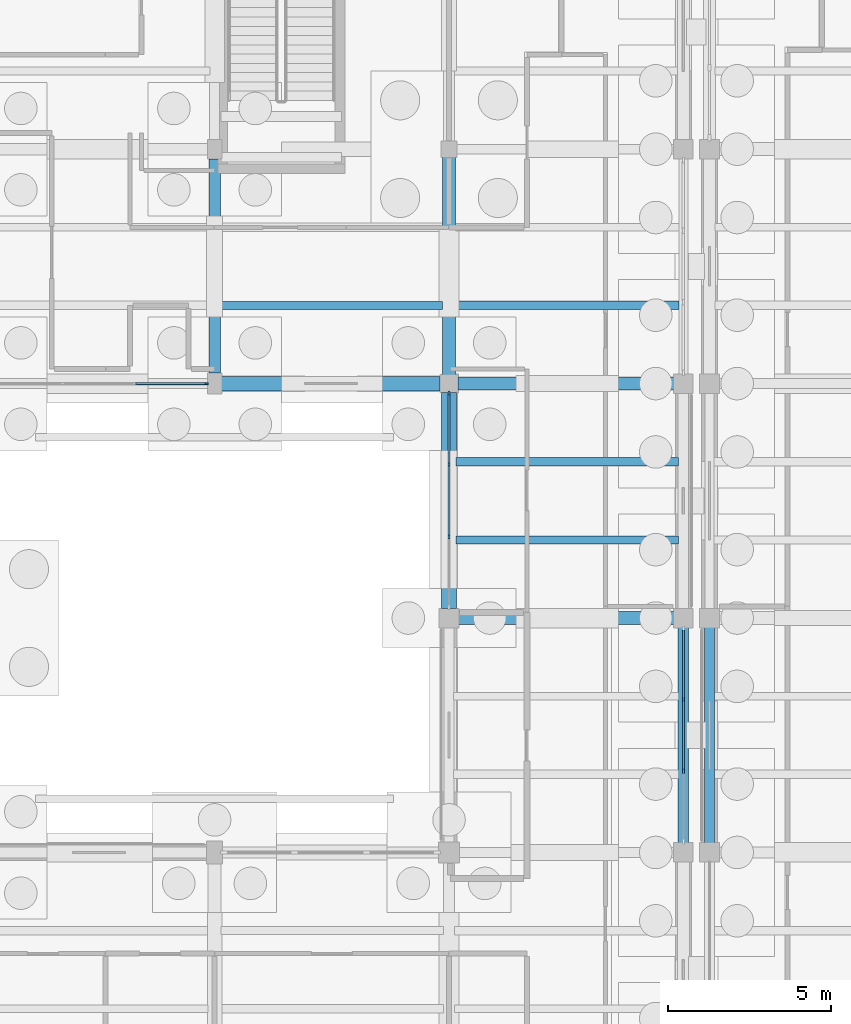
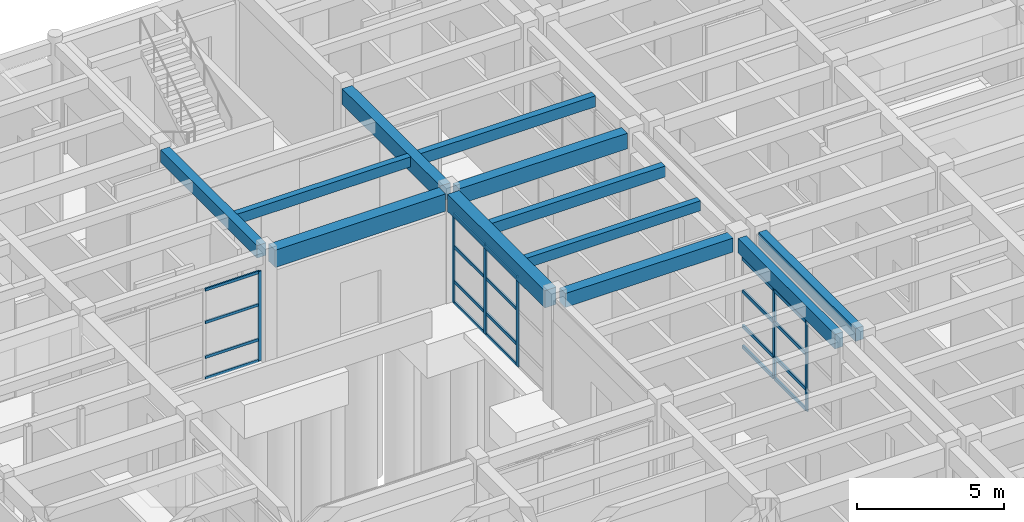
# One storey, part 68 of 143: 26 members, 12 beams, 3 elements without a shape of their own.
"""IFC4 building model written with IfcOpenShell, lengths in metres."""

import ifcopenshell
import ifcopenshell.guid

model = None  # the IFC model being written
_history = None  # IfcOwnerHistory: only IFC2X3 demands one
_inside = {}  # id of a spatial element -> (the spatial element, [elements in it])
_under = {}  # id of a project, library or spatial element -> (it, [spatial elements below it])
_declared = {}  # id of a project -> (the project, [libraries it declares])
_typed = {}  # id of a type object -> (the type object, [elements of that type])
_made_of = {}  # id of a material, layer set ... -> (it, [elements and type objects made of it])


def new_model(schema):
    """Start an empty IFC model of exactly this schema.

    Asked for "IFC4X3", IfcOpenShell would pick the latest addendum, in which some entities
    have other attributes; the version numbers below select the first issue.
    IFC2X3 requires an IfcOwnerHistory on every rooted entity: one is made here for all.
    """
    global model, _history
    if schema == "IFC4X3":
        model = ifcopenshell.file(schema_version=(4, 3, 0, 0))
    else:
        model = ifcopenshell.file(schema=schema)
    _inside.clear()
    _under.clear()
    _declared.clear()
    _typed.clear()
    _made_of.clear()
    _history = None
    if model.schema == "IFC2X3":
        org = make("IfcOrganization", Name="unknown")
        user = make(
            "IfcPersonAndOrganization",
            ThePerson=make("IfcPerson", FamilyName="unknown"),
            TheOrganization=org,
        )
        app = make(
            "IfcApplication",
            ApplicationDeveloper=org,
            Version="unknown",
            ApplicationFullName="unknown",
            ApplicationIdentifier="unknown",
        )
        _history = make(
            "IfcOwnerHistory",
            OwningUser=user,
            OwningApplication=app,
            ChangeAction="ADDED",
            CreationDate=0,
        )
    return model


def make(cls, **values):
    """One entity of the class cls with the attributes given. An attribute that is None is left unset."""
    return model.create_entity(
        cls, **{name: value for name, value in values.items() if value is not None}
    )


def rooted(cls, **values):
    """An entity with a GlobalId (a new one), such as an element, a storey or a relation."""
    return make(cls, GlobalId=ifcopenshell.guid.new(), OwnerHistory=_history, **values)


def si_unit(unit_type, name, prefix=None):
    """IfcSIUnit, for example si_unit("LENGTHUNIT", "METRE", prefix="MILLI")."""
    return make("IfcSIUnit", UnitType=unit_type, Prefix=prefix, Name=name)


def assignment(units):
    """IfcUnitAssignment: the units of a project."""
    return None if units is None else make("IfcUnitAssignment", Units=units)


def point(xyz):
    """IfcCartesianPoint."""
    return None if xyz is None else make("IfcCartesianPoint", Coordinates=xyz)


def direction(xyz):
    """IfcDirection."""
    return None if xyz is None else make("IfcDirection", DirectionRatios=xyz)


def frame(location, z_axis=None, x_axis=None):
    """IfcAxis2Placement3D, a coordinate frame: its origin and axes. An axis left out is left unset."""
    return make(
        "IfcAxis2Placement3D",
        Location=point(location),
        Axis=direction(z_axis),
        RefDirection=direction(x_axis),
    )


def frame_2d(location, x_axis=None):
    """IfcAxis2Placement2D, a coordinate frame in the plane: its origin and x axis."""
    return make(
        "IfcAxis2Placement2D", Location=point(location), RefDirection=direction(x_axis)
    )


def origin():
    """The frame at (0, 0, 0) with its axes left unset."""
    return frame((0.0, 0.0, 0.0))


def origin_2d():
    """The frame at (0, 0) in the plane with its x axis left unset."""
    return frame_2d((0.0, 0.0))


def place(relative_to, where):
    """IfcLocalPlacement: puts the frame where relative to a parent placement (None: the world)."""
    return make(
        "IfcLocalPlacement", PlacementRelTo=relative_to, RelativePlacement=where
    )


def context(
    kind, dimensions, precision=None, world=None, true_north=None, identifier=None
):
    """IfcGeometricRepresentationContext, for example the 3D "Model" context."""
    return make(
        "IfcGeometricRepresentationContext",
        ContextIdentifier=identifier,
        ContextType=kind,
        CoordinateSpaceDimension=dimensions,
        Precision=precision,
        WorldCoordinateSystem=world,
        TrueNorth=true_north,
    )


def subcontext(parent, identifier, kind, view, scale=None):
    """IfcGeometricRepresentationSubContext, for example "Body" below "Model"."""
    return make(
        "IfcGeometricRepresentationSubContext",
        ContextIdentifier=identifier,
        ContextType=kind,
        ParentContext=parent,
        TargetScale=scale,
        TargetView=view,
    )


def project(units=None, contexts=None):
    """IfcProject with its units and contexts."""
    return rooted(
        "IfcProject",
        Name="project",
        RepresentationContexts=contexts,
        UnitsInContext=assignment(units),
    )


def spatial(cls, under=None, at=None, **own):
    """A site, building, storey or space (cls), placed at a placement, below another one or the project."""
    s = rooted(cls, ObjectPlacement=at, **own)
    if under is not None:
        _under.setdefault(under.id(), (under, []))[1].append(s)
    return s


def profile(cls, at=None, kind="AREA", **sizes):
    """A parametric profile (cls). Its sizes go by their IFC names, for example OverallWidth=200.0."""
    return make(cls, ProfileType=kind, Position=at, **sizes)


def rectangle(**sizes):
    """IfcRectangleProfileDef."""
    return profile("IfcRectangleProfileDef", **sizes)


def extrude(swept, where, along, depth):
    """IfcExtrudedAreaSolid: the profile swept, set in the frame where, extruded along a direction by depth."""
    return make(
        "IfcExtrudedAreaSolid",
        SweptArea=swept,
        Position=where,
        ExtrudedDirection=direction(along),
        Depth=depth,
    )


def shape(context_of_items, identifier, shape_type, items):
    """IfcShapeRepresentation: the items that make up one representation, for example the "Body"."""
    return make(
        "IfcShapeRepresentation",
        ContextOfItems=context_of_items,
        RepresentationIdentifier=identifier,
        RepresentationType=shape_type,
        Items=items,
    )


def material(Name=None, Category=None):
    """IfcMaterial."""
    return make("IfcMaterial", Name=Name, Category=Category)


def material_profile(
    of_material, cross_section, Name=None, Category=None, Priority=None
):
    """IfcMaterialProfile: a cross section and its material."""
    return make(
        "IfcMaterialProfile",
        Name=Name,
        Material=of_material,
        Profile=cross_section,
        Priority=Priority,
        Category=Category,
    )


def profile_set(profiles, Name=None, composite=None):
    """IfcMaterialProfileSet."""
    return make(
        "IfcMaterialProfileSet",
        Name=Name,
        MaterialProfiles=profiles,
        CompositeProfile=composite,
    )


def made_of(thing, what):
    """Note that an element or type object is made of a material, layer set ...; save() writes the relation."""
    if what is not None:
        _made_of.setdefault(what.id(), (what, []))[1].append(thing)
    return thing


def type_object(cls, material=None, **own):
    """A type object (cls), such as IfcWallType, which elements share."""
    return made_of(rooted(cls, **own), material)


def element(
    cls,
    number,
    at=None,
    inside=None,
    cuts=None,
    type_object=None,
    material=None,
    context=None,
    identifier="Body",
    shape_type=None,
    held_by="IfcProductDefinitionShape",
    body=None,
    shapes=None,
    **own,
):
    """One element of the class cls, such as IfcWall. Its Tag is "e" and its number.

    at: its placement. inside: the storey or other place that contains it. cuts: it is an
    opening in that element (IfcRelVoidsElement). A single representation is given by context,
    identifier, shape_type and body (its items); several are given by shapes. held_by: the class
    of the entity that holds the representations. save() writes the other relations.
    """
    e = rooted(cls, Tag="e%d" % number, ObjectPlacement=at, **own)
    if body is not None:
        shapes = [shape(context, identifier, shape_type, body)]
    if shapes is not None:
        e.Representation = make(held_by, Representations=shapes)
    if inside is not None:
        _inside.setdefault(inside.id(), (inside, []))[1].append(e)
    if cuts is not None:
        rooted(
            "IfcRelVoidsElement", RelatingBuildingElement=cuts, RelatedOpeningElement=e
        )
    if type_object is not None:
        _typed.setdefault(type_object.id(), (type_object, []))[1].append(e)
    return made_of(e, material)


def aggregate(whole, parts):
    """IfcRelAggregates: a whole, such as a stair, and the parts it consists of."""
    return rooted("IfcRelAggregates", RelatingObject=whole, RelatedObjects=parts)


def save(model, path):
    """Write the relations noted so far, then the file.

    IfcRelAggregates (storeys below a building ...), IfcRelContainedInSpatialStructure (elements
    in a storey), IfcRelDefinesByType, IfcRelAssociatesMaterial and IfcRelDeclares: one each for
    every whole, place, type object, material and project.
    """
    for whole, parts in _under.values():
        aggregate(whole, parts)
    for where, things in _inside.values():
        rooted(
            "IfcRelContainedInSpatialStructure",
            RelatedElements=things,
            RelatingStructure=where,
        )
    for kind, things in _typed.values():
        rooted("IfcRelDefinesByType", RelatedObjects=things, RelatingType=kind)
    for what, things in _made_of.values():
        rooted("IfcRelAssociatesMaterial", RelatedObjects=things, RelatingMaterial=what)
    for by, libraries in _declared.values():
        rooted("IfcRelDeclares", RelatingContext=by, RelatedDefinitions=libraries)
    model.write(path)


model = new_model("IFC4")

# Units and contexts
model_context = context("Model", 3, precision=1e-05, world=origin(), true_north=direction((0.0, 1.0)))
body_context = subcontext(model_context, "Body", "Model", "MODEL_VIEW")
ifc_project = project(units=[si_unit("LENGTHUNIT", "METRE"), si_unit("AREAUNIT", "SQUARE_METRE"), si_unit("VOLUMEUNIT", "CUBIC_METRE"), si_unit("PLANEANGLEUNIT", "RADIAN"), si_unit("MASSUNIT", "GRAM", prefix="KILO")], contexts=[model_context])

# Site, building, storey
site_placement = place(None, origin())
site = spatial("IfcSite", under=ifc_project, at=site_placement, CompositionType="ELEMENT")
building_placement = place(site_placement, origin())
building = spatial("IfcBuilding", under=site, at=building_placement, Name="Steenspoor Specialist Clinic", CompositionType="ELEMENT")
storey_placement = place(building_placement, origin())
storey = spatial("IfcBuildingStorey", under=building, at=storey_placement, Name="L00", CompositionType="ELEMENT", Elevation=0.0)

# Beams
ifc_material_1 = material(Name="Concrete C35/45", Category="concrete")
ifc_material_profile_1 = material_profile(ifc_material_1, rectangle(XDim=0.35009765625, YDim=0.52001953125, at=origin_2d()), Name="RC-BM-350X520")
ifc_profile_set_1 = profile_set([ifc_material_profile_1], Name="Concrete C35/45")
beam_type_1 = type_object("IfcBeamType", Name="BM-RC-350X520", PredefinedType="BEAM", material=ifc_profile_set_1)
beam_1_placement = place(storey_placement, frame((102.800048828125, 94.27001953125, 4.2900390625), z_axis=(0.0, 1.0, 0.0), x_axis=(-1.0, 0.0, 0.0)))
element("IfcBeam", 1, at=beam_1_placement, inside=storey, type_object=beam_type_1, Name="BM-V4-L00-Y0383", PredefinedType="BEAM", context=body_context, shape_type="SweptSolid", body=[
    extrude(rectangle(XDim=0.35009765625, YDim=0.52001953125, at=origin_2d()), origin(), (0.0, 0.0, 1.0), 6.5849609375),
])
ifc_material_profile_2 = material_profile(ifc_material_1, rectangle(XDim=0.39990234375, YDim=0.580078125, at=origin_2d()), Name="RC-BM-400X580")
ifc_profile_set_2 = profile_set([ifc_material_profile_2], Name="Concrete C35/45")
beam_type_2 = type_object("IfcBeamType", Name="BM-RC-400X580", PredefinedType="BEAM", material=ifc_profile_set_2)
beam_2_placement = place(storey_placement, frame((110.294921875, 86.75, 4.260009765625), z_axis=(1.0, 0.0, 0.0), x_axis=(0.0, 1.0, 0.0)))
element("IfcBeam", 2, at=beam_2_placement, inside=storey, type_object=beam_type_2, Name="BM-V4-L00-X0316", PredefinedType="BEAM", context=body_context, shape_type="SweptSolid", body=[
    extrude(rectangle(XDim=0.39990234375, YDim=0.580078125, at=origin_2d()), origin(), (0.0, 0.0, 1.0), 6.610107421875),
])
ifc_material_profile_3 = material_profile(ifc_material_1, rectangle(XDim=0.39990234375, YDim=0.64990234375, at=origin_2d()), Name="RC-BM-400X650")
ifc_profile_set_3 = profile_set([ifc_material_profile_3], Name="Concrete C35/45")
beam_type_3 = type_object("IfcBeamType", Name="BM-RC-400X650", PredefinedType="BEAM", material=ifc_profile_set_3)
beam_3_placement = place(storey_placement, frame((110.27001953125, 93.949951171875, 4.22509765625), z_axis=(1.0, 0.0, 0.0), x_axis=(0.0, 1.0, 0.0)))
element("IfcBeam", 3, at=beam_3_placement, inside=storey, type_object=beam_type_3, Name="BM-V4-L00-X0325", PredefinedType="BEAM", context=body_context, shape_type="SweptSolid", body=[
    extrude(rectangle(XDim=0.39990234375, YDim=0.64990234375, at=origin_2d()), origin(), (0.0, 0.0, 1.0), 6.635009765625),
])
beam_4_placement = place(storey_placement, frame((110.0, 94.219970703125, 4.22509765625), z_axis=(0.0, 1.0, 0.0), x_axis=(-1.0, 0.0, 0.0)))
element("IfcBeam", 4, at=beam_4_placement, inside=storey, type_object=beam_type_3, Name="BM-V4-L00-Y0389", PredefinedType="BEAM", context=body_context, shape_type="SweptSolid", body=[
    extrude(rectangle(XDim=0.39990234375, YDim=0.64990234375, at=origin_2d()), origin(), (0.0, 0.0, 1.0), 6.68505859375),
])
ifc_material_profile_4 = material_profile(ifc_material_1, rectangle(XDim=0.449951171875, YDim=0.719970703125, at=origin_2d()), Name="RC-BM-450X720")
ifc_profile_set_4 = profile_set([ifc_material_profile_4], Name="Concrete C35/45")
beam_type_4 = type_object("IfcBeamType", Name="BM-RC-450X720", PredefinedType="BEAM", material=ifc_profile_set_4)
beam_5_placement = place(storey_placement, frame((103.02001953125, 93.949951171875, 4.18994140625), z_axis=(1.0, 0.0, 0.0), x_axis=(0.0, 1.0, 0.0)))
element("IfcBeam", 5, at=beam_5_placement, inside=storey, type_object=beam_type_4, Name="BM-V4-L00-X0324", PredefinedType="BEAM", context=body_context, shape_type="SweptSolid", body=[
    extrude(rectangle(XDim=0.449951171875, YDim=0.719970703125, at=origin_2d()), origin(), (0.0, 0.0, 1.0), 6.7099609375),
])
beam_6_placement = place(storey_placement, frame((110.0, 87.044921875, 4.18994140625), z_axis=(0.0, 1.0, 0.0), x_axis=(-1.0, 0.0, 0.0)))
element("IfcBeam", 6, at=beam_6_placement, inside=storey, type_object=beam_type_4, Name="BM-V4-L00-Y0388", PredefinedType="BEAM", context=body_context, shape_type="SweptSolid", body=[
    extrude(rectangle(XDim=0.449951171875, YDim=0.719970703125, at=origin_2d()), origin(), (0.0, 0.0, 1.0), 6.635009765625),
])

# Curtain wall, member
ifc_material_2 = material(Name="Thermally broken aluminium and low-emissivity glass", Category="aluminium")
curtain_wall_type_1 = type_object("IfcCurtainWallType", Name="CW-TYP-650X355", PredefinedType="USERDEFINED", material=ifc_material_2)
curtain_wall_1_placement = place(storey_placement, origin())
curtain_wall_1 = element("IfcCurtainWall", 7, at=curtain_wall_1_placement, inside=storey, type_object=curtain_wall_type_1, Name="Unitised Curtain Wall CW-V4-L00-058", ObjectType="UNITISED GLAZING", PredefinedType="USERDEFINED")
ifc_material_3 = material(Name="Thermally broken aluminium 6063-T6", Category="aluminium")
ifc_material_profile_5 = material_profile(ifc_material_3, rectangle(XDim=0.06005859375, YDim=0.135009765625, at=origin_2d()), Name="CWM-60X135")
ifc_profile_set_5 = profile_set([ifc_material_profile_5], Name="Thermally broken aluminium 6063-T6")
member_type_1 = type_object("IfcMemberType", Name="CW-MULL-60X135", PredefinedType="MULLION", material=ifc_profile_set_5)
member_1_placement = place(storey_placement, frame((102.544921875, 93.949951171875, 0.0), z_axis=(0.0, 0.0, 1.0), x_axis=(0.0, -1.0, 0.0)))
member_1 = element("IfcMember", 8, at=member_1_placement, type_object=member_type_1, Name="CW-10 mullion 1", PredefinedType="MULLION", context=body_context, shape_type="SweptSolid", body=[
    extrude(rectangle(XDim=0.06005859375, YDim=0.135009765625, at=origin_2d()), origin(), (0.0, 0.0, 1.0), 3.72998046875),
])

# Curtain wall, members
curtain_wall_type_2 = type_object("IfcCurtainWallType", Name="CW-HALL-480X820", PredefinedType="USERDEFINED", material=ifc_material_2)
curtain_wall_2_placement = place(storey_placement, origin())
curtain_wall_2 = element("IfcCurtainWall", 9, at=curtain_wall_2_placement, inside=storey, type_object=curtain_wall_type_2, Name="Unitised Curtain Wall CW-V4-L00-051", ObjectType="UNITISED GLAZING", PredefinedType="USERDEFINED")
ifc_material_profile_6 = material_profile(ifc_material_3, rectangle(XDim=0.06494140625, YDim=0.14990234375, at=origin_2d()), Name="CWM-65X150")
ifc_profile_set_6 = profile_set([ifc_material_profile_6], Name="Thermally broken aluminium 6063-T6")
member_type_2 = type_object("IfcMemberType", Name="CW-MULL-65X150", PredefinedType="MULLION", material=ifc_profile_set_6)
member_2_placement = place(storey_placement, frame((117.199951171875, 84.25, 0.0), z_axis=(0.0, 0.0, 1.0), x_axis=(1.0, 0.0, 0.0)))
member_2 = element("IfcMember", 10, at=member_2_placement, type_object=member_type_2, Name="CW-03 mullion 2", PredefinedType="MULLION", context=body_context, shape_type="SweptSolid", body=[
    extrude(rectangle(XDim=0.06494140625, YDim=0.14990234375, at=origin_2d()), origin(), (0.0, 0.0, 1.0), 3.72998046875),
])
member_3_placement = place(storey_placement, frame((117.199951171875, 82.050048828125, 0.0), z_axis=(0.0, 0.0, 1.0), x_axis=(1.0, 0.0, 0.0)))
member_3 = element("IfcMember", 11, at=member_3_placement, type_object=member_type_2, Name="CW-03 mullion 3", PredefinedType="MULLION", context=body_context, shape_type="SweptSolid", body=[
    extrude(rectangle(XDim=0.06494140625, YDim=0.14990234375, at=origin_2d()), origin(), (0.0, 0.0, 1.0), 3.72998046875),
])

curtain_wall_type_3 = type_object("IfcCurtainWallType", Name="CW-TYP-660X355", PredefinedType="USERDEFINED", material=ifc_material_2)
curtain_wall_3_placement = place(storey_placement, origin())
curtain_wall_3 = element("IfcCurtainWall", 12, at=curtain_wall_3_placement, inside=storey, type_object=curtain_wall_type_3, Name="Unitised Curtain Wall CW-V4-L00-057", ObjectType="UNITISED GLAZING", PredefinedType="USERDEFINED")
member_4_placement = place(storey_placement, frame((110.0, 89.25830078125, 0.0), z_axis=(0.0, 0.0, 1.0), x_axis=(-1.0, 0.0, 0.0)))
member_4 = element("IfcMember", 13, at=member_4_placement, type_object=member_type_2, Name="CW-09 mullion 2", PredefinedType="MULLION", context=body_context, shape_type="SweptSolid", body=[
    extrude(rectangle(XDim=0.06494140625, YDim=0.14990234375, at=origin_2d()), origin(), (0.0, 0.0, 1.0), 3.72998046875),
])
member_5_placement = place(storey_placement, frame((110.0, 91.466552734375, 0.0), z_axis=(0.0, 0.0, 1.0), x_axis=(-1.0, 0.0, 0.0)))
member_5 = element("IfcMember", 14, at=member_5_placement, type_object=member_type_2, Name="CW-09 mullion 3", PredefinedType="MULLION", context=body_context, shape_type="SweptSolid", body=[
    extrude(rectangle(XDim=0.06494140625, YDim=0.14990234375, at=origin_2d()), origin(), (0.0, 0.0, 1.0), 3.72998046875),
])
member_6_placement = place(storey_placement, frame((110.0, 93.642578125, 0.0), z_axis=(0.0, 0.0, 1.0), x_axis=(-1.0, 0.0, 0.0)))
member_6 = element("IfcMember", 15, at=member_6_placement, type_object=member_type_2, Name="CW-09 mullion 4", PredefinedType="MULLION", context=body_context, shape_type="SweptSolid", body=[
    extrude(rectangle(XDim=0.06494140625, YDim=0.14990234375, at=origin_2d()), origin(), (0.0, 0.0, 1.0), 3.72998046875),
])

# Member
ifc_material_profile_7 = material_profile(ifc_material_3, rectangle(XDim=0.06005859375, YDim=0.114990234375, at=origin_2d()), Name="CWT-60X115")
ifc_profile_set_7 = profile_set([ifc_material_profile_7], Name="Thermally broken aluminium 6063-T6")
member_type_3 = type_object("IfcMemberType", Name="CW-TRAN-60X115", PredefinedType="USERDEFINED", material=ifc_profile_set_7)
member_7_placement = place(storey_placement, frame((102.514892578125, 93.949951171875, 0.030029296875), z_axis=(-1.0, 0.0, 0.0), x_axis=(0.0, -1.0, 0.0)))
member_7 = element("IfcMember", 16, at=member_7_placement, type_object=member_type_3, Name="CW-10 transom 1.1", ObjectType="TRANSOM", PredefinedType="USERDEFINED", context=body_context, shape_type="SweptSolid", body=[
    extrude(rectangle(XDim=0.06005859375, YDim=0.114990234375, at=origin_2d()), origin(), (0.0, 0.0, 1.0), 2.135009765625),
])

member_8_placement = place(storey_placement, frame((102.514892578125, 93.949951171875, 0.89990234375), z_axis=(-1.0, 0.0, 0.0), x_axis=(0.0, -1.0, 0.0)))
member_8 = element("IfcMember", 17, at=member_8_placement, type_object=member_type_3, Name="CW-10 transom 1.2", ObjectType="TRANSOM", PredefinedType="USERDEFINED", context=body_context, shape_type="SweptSolid", body=[
    extrude(rectangle(XDim=0.06005859375, YDim=0.114990234375, at=origin_2d()), origin(), (0.0, 0.0, 1.0), 2.135009765625),
])

member_9_placement = place(storey_placement, frame((102.514892578125, 93.949951171875, 2.35009765625), z_axis=(-1.0, 0.0, 0.0), x_axis=(0.0, -1.0, 0.0)))
member_9 = element("IfcMember", 18, at=member_9_placement, type_object=member_type_3, Name="CW-10 transom 1.3", ObjectType="TRANSOM", PredefinedType="USERDEFINED", context=body_context, shape_type="SweptSolid", body=[
    extrude(rectangle(XDim=0.06005859375, YDim=0.114990234375, at=origin_2d()), origin(), (0.0, 0.0, 1.0), 2.135009765625),
])

member_10_placement = place(storey_placement, frame((102.514892578125, 93.949951171875, 3.699951171875), z_axis=(-1.0, 0.0, 0.0), x_axis=(0.0, -1.0, 0.0)))
member_10 = element("IfcMember", 19, at=member_10_placement, type_object=member_type_3, Name="CW-10 transom 1.4", ObjectType="TRANSOM", PredefinedType="USERDEFINED", context=body_context, shape_type="SweptSolid", body=[
    extrude(rectangle(XDim=0.06005859375, YDim=0.114990234375, at=origin_2d()), origin(), (0.0, 0.0, 1.0), 2.135009765625),
])

aggregate(curtain_wall_1, [member_1, member_7, member_8, member_9, member_10])

ifc_material_profile_8 = material_profile(ifc_material_3, rectangle(XDim=0.06494140625, YDim=0.1298828125, at=origin_2d()), Name="CWT-65X130")
ifc_profile_set_8 = profile_set([ifc_material_profile_8], Name="Thermally broken aluminium 6063-T6")
member_type_4 = type_object("IfcMemberType", Name="CW-TRAN-65X130", PredefinedType="USERDEFINED", material=ifc_profile_set_8)
member_11_placement = place(storey_placement, frame((110.0, 89.290771484375, 0.032470703125), z_axis=(0.0, 1.0, 0.0), x_axis=(-1.0, 0.0, 0.0)))
member_11 = element("IfcMember", 20, at=member_11_placement, type_object=member_type_4, Name="CW-09 transom 2.1", ObjectType="TRANSOM", PredefinedType="USERDEFINED", context=body_context, shape_type="SweptSolid", body=[
    extrude(rectangle(XDim=0.06494140625, YDim=0.1298828125, at=origin_2d()), origin(), (0.0, 0.0, 1.0), 2.143310546875),
])

member_12_placement = place(storey_placement, frame((110.0, 89.290771484375, 0.89990234375), z_axis=(0.0, 1.0, 0.0), x_axis=(-1.0, 0.0, 0.0)))
member_12 = element("IfcMember", 21, at=member_12_placement, type_object=member_type_4, Name="CW-09 transom 2.2", ObjectType="TRANSOM", PredefinedType="USERDEFINED", context=body_context, shape_type="SweptSolid", body=[
    extrude(rectangle(XDim=0.06494140625, YDim=0.1298828125, at=origin_2d()), origin(), (0.0, 0.0, 1.0), 2.143310546875),
])

member_13_placement = place(storey_placement, frame((110.0, 89.290771484375, 2.35009765625), z_axis=(0.0, 1.0, 0.0), x_axis=(-1.0, 0.0, 0.0)))
member_13 = element("IfcMember", 22, at=member_13_placement, type_object=member_type_4, Name="CW-09 transom 2.3", ObjectType="TRANSOM", PredefinedType="USERDEFINED", context=body_context, shape_type="SweptSolid", body=[
    extrude(rectangle(XDim=0.06494140625, YDim=0.1298828125, at=origin_2d()), origin(), (0.0, 0.0, 1.0), 2.143310546875),
])

member_14_placement = place(storey_placement, frame((110.0, 89.290771484375, 3.697509765625), z_axis=(0.0, 1.0, 0.0), x_axis=(-1.0, 0.0, 0.0)))
member_14 = element("IfcMember", 23, at=member_14_placement, type_object=member_type_4, Name="CW-09 transom 2.4", ObjectType="TRANSOM", PredefinedType="USERDEFINED", context=body_context, shape_type="SweptSolid", body=[
    extrude(rectangle(XDim=0.06494140625, YDim=0.1298828125, at=origin_2d()), origin(), (0.0, 0.0, 1.0), 2.143310546875),
])

member_15_placement = place(storey_placement, frame((110.0, 91.499267578125, 0.032470703125), z_axis=(0.0, 1.0, 0.0), x_axis=(-1.0, 0.0, 0.0)))
member_15 = element("IfcMember", 24, at=member_15_placement, type_object=member_type_4, Name="CW-09 transom 3.1", ObjectType="TRANSOM", PredefinedType="USERDEFINED", context=body_context, shape_type="SweptSolid", body=[
    extrude(rectangle(XDim=0.06494140625, YDim=0.1298828125, at=origin_2d()), origin(), (0.0, 0.0, 1.0), 2.11083984375),
])

member_16_placement = place(storey_placement, frame((110.0, 91.499267578125, 0.89990234375), z_axis=(0.0, 1.0, 0.0), x_axis=(-1.0, 0.0, 0.0)))
member_16 = element("IfcMember", 25, at=member_16_placement, type_object=member_type_4, Name="CW-09 transom 3.2", ObjectType="TRANSOM", PredefinedType="USERDEFINED", context=body_context, shape_type="SweptSolid", body=[
    extrude(rectangle(XDim=0.06494140625, YDim=0.1298828125, at=origin_2d()), origin(), (0.0, 0.0, 1.0), 2.11083984375),
])

member_17_placement = place(storey_placement, frame((110.0, 91.499267578125, 2.35009765625), z_axis=(0.0, 1.0, 0.0), x_axis=(-1.0, 0.0, 0.0)))
member_17 = element("IfcMember", 26, at=member_17_placement, type_object=member_type_4, Name="CW-09 transom 3.3", ObjectType="TRANSOM", PredefinedType="USERDEFINED", context=body_context, shape_type="SweptSolid", body=[
    extrude(rectangle(XDim=0.06494140625, YDim=0.1298828125, at=origin_2d()), origin(), (0.0, 0.0, 1.0), 2.11083984375),
])

member_18_placement = place(storey_placement, frame((110.0, 91.499267578125, 3.697509765625), z_axis=(0.0, 1.0, 0.0), x_axis=(-1.0, 0.0, 0.0)))
member_18 = element("IfcMember", 27, at=member_18_placement, type_object=member_type_4, Name="CW-09 transom 3.4", ObjectType="TRANSOM", PredefinedType="USERDEFINED", context=body_context, shape_type="SweptSolid", body=[
    extrude(rectangle(XDim=0.06494140625, YDim=0.1298828125, at=origin_2d()), origin(), (0.0, 0.0, 1.0), 2.11083984375),
])

aggregate(curtain_wall_3, [member_4, member_5, member_6, member_11, member_12, member_13, member_14, member_15, member_16, member_17, member_18])

ifc_material_profile_9 = material_profile(ifc_material_3, rectangle(XDim=0.070068359375, YDim=0.14501953125, at=origin_2d()), Name="CWT-70X145")
ifc_profile_set_9 = profile_set([ifc_material_profile_9], Name="Thermally broken aluminium 6063-T6")
member_type_5 = type_object("IfcMemberType", Name="CW-TRAN-70X145", PredefinedType="USERDEFINED", material=ifc_profile_set_9)
member_19_placement = place(storey_placement, frame((117.199951171875, 86.385009765625, 0.034912109375), z_axis=(0.0, -1.0, 0.0), x_axis=(1.0, 0.0, 0.0)))
member_19 = element("IfcMember", 28, at=member_19_placement, type_object=member_type_5, Name="CW-03 transom 1.1", ObjectType="TRANSOM", PredefinedType="USERDEFINED", context=body_context, shape_type="SweptSolid", body=[
    extrude(rectangle(XDim=0.070068359375, YDim=0.14501953125, at=origin_2d()), origin(), (0.0, 0.0, 1.0), 2.1025390625),
])

member_20_placement = place(storey_placement, frame((117.199951171875, 86.385009765625, 0.89990234375), z_axis=(0.0, -1.0, 0.0), x_axis=(1.0, 0.0, 0.0)))
member_20 = element("IfcMember", 29, at=member_20_placement, type_object=member_type_5, Name="CW-03 transom 1.2", ObjectType="TRANSOM", PredefinedType="USERDEFINED", context=body_context, shape_type="SweptSolid", body=[
    extrude(rectangle(XDim=0.070068359375, YDim=0.14501953125, at=origin_2d()), origin(), (0.0, 0.0, 1.0), 2.1025390625),
])

member_21_placement = place(storey_placement, frame((117.199951171875, 86.385009765625, 2.35009765625), z_axis=(0.0, -1.0, 0.0), x_axis=(1.0, 0.0, 0.0)))
member_21 = element("IfcMember", 30, at=member_21_placement, type_object=member_type_5, Name="CW-03 transom 1.3", ObjectType="TRANSOM", PredefinedType="USERDEFINED", context=body_context, shape_type="SweptSolid", body=[
    extrude(rectangle(XDim=0.070068359375, YDim=0.14501953125, at=origin_2d()), origin(), (0.0, 0.0, 1.0), 2.1025390625),
])

member_22_placement = place(storey_placement, frame((117.199951171875, 86.385009765625, 3.695068359375), z_axis=(0.0, -1.0, 0.0), x_axis=(1.0, 0.0, 0.0)))
member_22 = element("IfcMember", 31, at=member_22_placement, type_object=member_type_5, Name="CW-03 transom 1.4", ObjectType="TRANSOM", PredefinedType="USERDEFINED", context=body_context, shape_type="SweptSolid", body=[
    extrude(rectangle(XDim=0.070068359375, YDim=0.14501953125, at=origin_2d()), origin(), (0.0, 0.0, 1.0), 2.1025390625),
])

member_23_placement = place(storey_placement, frame((117.199951171875, 84.217529296875, 0.034912109375), z_axis=(0.0, -1.0, 0.0), x_axis=(1.0, 0.0, 0.0)))
member_23 = element("IfcMember", 32, at=member_23_placement, type_object=member_type_5, Name="CW-03 transom 2.1", ObjectType="TRANSOM", PredefinedType="USERDEFINED", context=body_context, shape_type="SweptSolid", body=[
    extrude(rectangle(XDim=0.070068359375, YDim=0.14501953125, at=origin_2d()), origin(), (0.0, 0.0, 1.0), 2.135009765625),
])

member_24_placement = place(storey_placement, frame((117.199951171875, 84.217529296875, 0.89990234375), z_axis=(0.0, -1.0, 0.0), x_axis=(1.0, 0.0, 0.0)))
member_24 = element("IfcMember", 33, at=member_24_placement, type_object=member_type_5, Name="CW-03 transom 2.2", ObjectType="TRANSOM", PredefinedType="USERDEFINED", context=body_context, shape_type="SweptSolid", body=[
    extrude(rectangle(XDim=0.070068359375, YDim=0.14501953125, at=origin_2d()), origin(), (0.0, 0.0, 1.0), 2.135009765625),
])

member_25_placement = place(storey_placement, frame((117.199951171875, 84.217529296875, 2.35009765625), z_axis=(0.0, -1.0, 0.0), x_axis=(1.0, 0.0, 0.0)))
member_25 = element("IfcMember", 34, at=member_25_placement, type_object=member_type_5, Name="CW-03 transom 2.3", ObjectType="TRANSOM", PredefinedType="USERDEFINED", context=body_context, shape_type="SweptSolid", body=[
    extrude(rectangle(XDim=0.070068359375, YDim=0.14501953125, at=origin_2d()), origin(), (0.0, 0.0, 1.0), 2.135009765625),
])

member_26_placement = place(storey_placement, frame((117.199951171875, 84.217529296875, 3.695068359375), z_axis=(0.0, -1.0, 0.0), x_axis=(1.0, 0.0, 0.0)))
member_26 = element("IfcMember", 35, at=member_26_placement, type_object=member_type_5, Name="CW-03 transom 2.4", ObjectType="TRANSOM", PredefinedType="USERDEFINED", context=body_context, shape_type="SweptSolid", body=[
    extrude(rectangle(XDim=0.070068359375, YDim=0.14501953125, at=origin_2d()), origin(), (0.0, 0.0, 1.0), 2.135009765625),
])

aggregate(curtain_wall_2, [member_2, member_3, member_19, member_20, member_21, member_22, member_23, member_24, member_25, member_26])

# Beams
ifc_material_profile_10 = material_profile(ifc_material_1, rectangle(XDim=0.239990234375, YDim=0.419921875, at=origin_2d()), Name="RC-JT-240X420")
ifc_profile_set_10 = profile_set([ifc_material_profile_10], Name="Concrete C35/45")
beam_type_5 = type_object("IfcBeamType", Name="JT-RC-240X420", PredefinedType="JOIST", material=ifc_profile_set_10)
beam_7_placement = place(storey_placement, frame((102.969970703125, 96.35009765625, 4.340087890625), z_axis=(1.0, 0.0, 0.0), x_axis=(0.0, 1.0, 0.0)))
element("IfcBeam", 36, at=beam_7_placement, inside=storey, type_object=beam_type_5, Name="JT-V4-L00-0461", PredefinedType="JOIST", context=body_context, shape_type="SweptSolid", body=[
    extrude(rectangle(XDim=0.239990234375, YDim=0.419921875, at=origin_2d()), origin(), (0.0, 0.0, 1.0), 6.8349609375),
])
beam_8_placement = place(storey_placement, frame((110.219970703125, 89.14990234375, 4.340087890625), z_axis=(1.0, 0.0, 0.0), x_axis=(0.0, 1.0, 0.0)))
element("IfcBeam", 37, at=beam_8_placement, inside=storey, type_object=beam_type_5, Name="JT-V4-L00-0469", PredefinedType="JOIST", context=body_context, shape_type="SweptSolid", body=[
    extrude(rectangle(XDim=0.239990234375, YDim=0.419921875, at=origin_2d()), origin(), (0.0, 0.0, 1.0), 6.824951171875),
])
ifc_material_profile_11 = material_profile(ifc_material_1, rectangle(XDim=0.260009765625, YDim=0.4599609375, at=origin_2d()), Name="RC-JT-260X460")
ifc_profile_set_11 = profile_set([ifc_material_profile_11], Name="Concrete C35/45")
beam_type_6 = type_object("IfcBeamType", Name="JT-RC-260X460", PredefinedType="JOIST", material=ifc_profile_set_11)
beam_9_placement = place(storey_placement, frame((110.219970703125, 91.550048828125, 4.320068359375), z_axis=(1.0, 0.0, 0.0), x_axis=(0.0, 1.0, 0.0)))
element("IfcBeam", 38, at=beam_9_placement, inside=storey, type_object=beam_type_6, Name="JT-V4-L00-0470", PredefinedType="JOIST", context=body_context, shape_type="SweptSolid", body=[
    extrude(rectangle(XDim=0.260009765625, YDim=0.4599609375, at=origin_2d()), origin(), (0.0, 0.0, 1.0), 6.824951171875),
])
beam_10_placement = place(storey_placement, frame((110.195068359375, 96.35009765625, 4.320068359375), z_axis=(1.0, 0.0, 0.0), x_axis=(0.0, 1.0, 0.0)))
element("IfcBeam", 39, at=beam_10_placement, inside=storey, type_object=beam_type_6, Name="JT-V4-L00-0471", PredefinedType="JOIST", context=body_context, shape_type="SweptSolid", body=[
    extrude(rectangle(XDim=0.260009765625, YDim=0.4599609375, at=origin_2d()), origin(), (0.0, 0.0, 1.0), 6.869873046875),
])
ifc_material_profile_12 = material_profile(ifc_material_1, rectangle(XDim=0.320068359375, YDim=0.5400390625, at=origin_2d()), Name="RC-SP-320X540")
ifc_profile_set_12 = profile_set([ifc_material_profile_12], Name="Concrete C35/45")
beam_type_7 = type_object("IfcBeamType", Name="SP-RC-320X540", PredefinedType="SPANDREL", material=ifc_profile_set_12)
beam_11_placement = place(storey_placement, frame((118.0, 79.844970703125, 4.25), z_axis=(0.0, 1.0, 0.0), x_axis=(-1.0, 0.0, 0.0)))
element("IfcBeam", 40, at=beam_11_placement, inside=storey, type_object=beam_type_7, Name="BM-V6-L00-Y1393", PredefinedType="SPANDREL", context=body_context, shape_type="SweptSolid", body=[
    extrude(rectangle(XDim=0.320068359375, YDim=0.5400390625, at=origin_2d()), origin(), (0.0, 0.0, 1.0), 6.610107421875),
])
ifc_material_profile_13 = material_profile(ifc_material_1, rectangle(XDim=0.320068359375, YDim=0.60009765625, at=origin_2d()), Name="RC-SP-320X600")
ifc_profile_set_13 = profile_set([ifc_material_profile_13], Name="Concrete C35/45")
beam_type_8 = type_object("IfcBeamType", Name="SP-RC-320X600", PredefinedType="SPANDREL", material=ifc_profile_set_13)
beam_12_placement = place(storey_placement, frame((117.199951171875, 79.844970703125, 4.25), z_axis=(0.0, 1.0, 0.0), x_axis=(-1.0, 0.0, 0.0)))
element("IfcBeam", 41, at=beam_12_placement, inside=storey, type_object=beam_type_8, Name="BM-V4-L00-Y0393", PredefinedType="SPANDREL", context=body_context, shape_type="SweptSolid", body=[
    extrude(rectangle(XDim=0.320068359375, YDim=0.60009765625, at=origin_2d()), origin(), (0.0, 0.0, 1.0), 6.610107421875),
])

save(model, "model.ifc")
